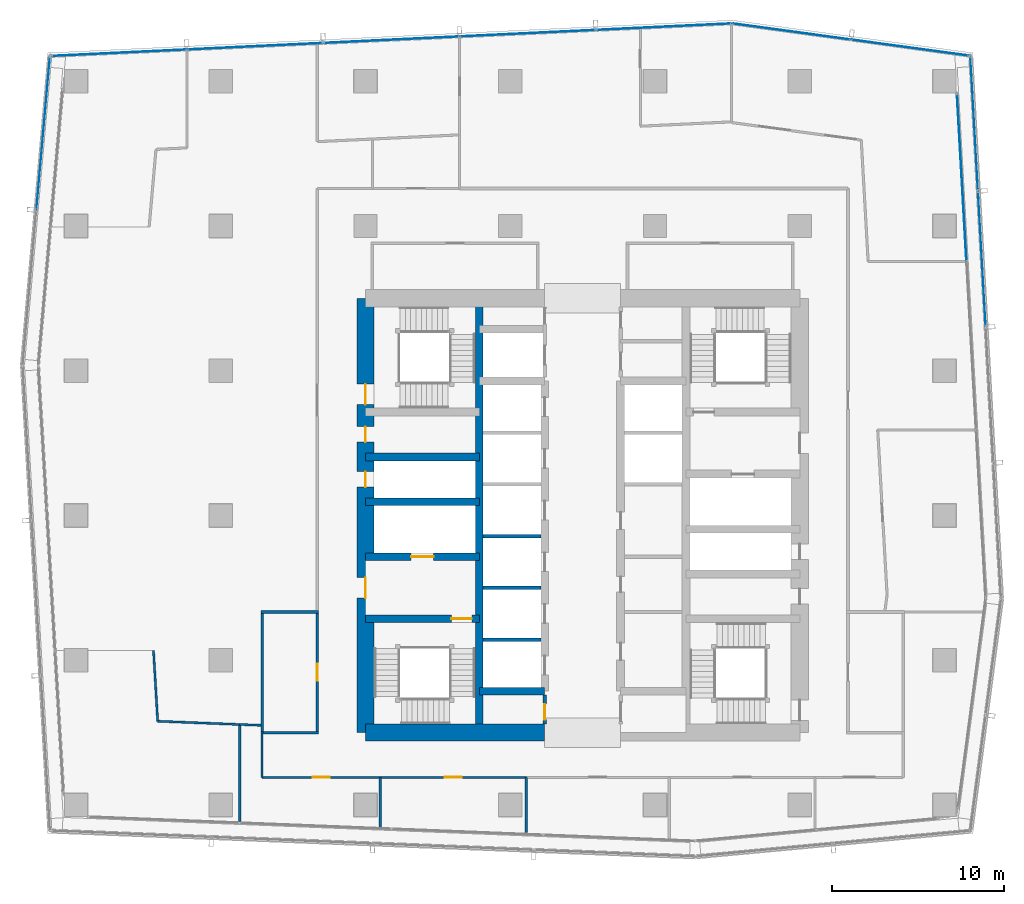
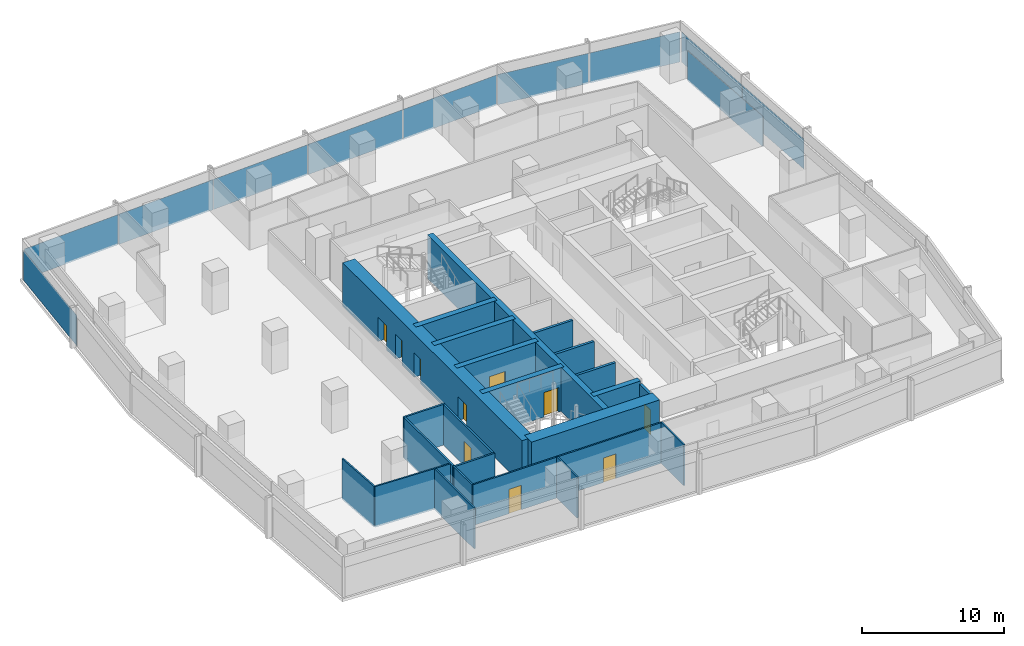
# One storey, part 27 of 40: 25 walls, 11 plates, 10 doors, 10 openings, 5 elements without a shape of their own.
"""IFC4 building model written with IfcOpenShell, lengths in metres."""

from ifc_helpers import new_model, si_unit, direction, frame, frame_2d, origin, origin_2d, place, context, subcontext, project, spatial, rectangle, extrude, material, layer, layer_set, type_object, element, fill, aggregate, save


model = new_model("IFC4")

# Units and contexts
model_context = context("Model", 3, precision=1e-05, world=origin(), true_north=direction((0.0, 1.0)))
body_context = subcontext(model_context, "Body", "Model", "MODEL_VIEW")
ifc_project = project(units=[si_unit("LENGTHUNIT", "METRE"), si_unit("AREAUNIT", "SQUARE_METRE"), si_unit("VOLUMEUNIT", "CUBIC_METRE"), si_unit("PLANEANGLEUNIT", "RADIAN"), si_unit("MASSUNIT", "GRAM", prefix="KILO")], contexts=[model_context])

# Site, building, storey
site_placement = place(None, origin())
site = spatial("IfcSite", under=ifc_project, at=site_placement, CompositionType="ELEMENT")
building_placement = place(site_placement, origin())
building = spatial("IfcBuilding", under=site, at=building_placement, Name="Rekha Terrace Tower", CompositionType="ELEMENT")
storey_placement = place(building_placement, frame((0.0, 0.0, 213.949951171875)))
storey = spatial("IfcBuildingStorey", under=building, at=storey_placement, Name="L54", CompositionType="ELEMENT", Elevation=213.949951171875)

# Curtain wall, plate
ifc_material_1 = material(Name="Aluminium framing", Category="aluminium")
curtain_wall_type_1 = type_object("IfcCurtainWallType", Name="CW1 double skin inner glazing", PredefinedType="USERDEFINED", material=ifc_material_1)
curtain_wall_1_placement = place(storey_placement, origin())
curtain_wall_1 = element("IfcCurtainWall", 1, at=curtain_wall_1_placement, inside=storey, type_object=curtain_wall_type_1, Name="CW1 double skin inner glazing", ObjectType="DOUBLE SKIN INNER GLAZING", PredefinedType="USERDEFINED")
ifc_material_2 = material(Name="Double-glazed low-e unit 32", Category="glass")
ifc_layer_1 = layer(ifc_material_2, 0.031982421875)
ifc_layer_set_1 = layer_set([ifc_layer_1], Name="Double-glazed low-e unit 32")
plate_type_1 = type_object("IfcPlateType", Name="CW1 jumbo vision panel, double-glazed low-e unit 32", PredefinedType="CURTAIN_PANEL", material=ifc_layer_set_1)
plate_1_placement = place(storey_placement, frame((59.799560546875, 53.203369140625, 0.0), z_axis=(0.0, 0.0, 1.0), x_axis=(-0.05667319486, 0.998392782919, 0.0)))
plate_1 = element("IfcPlate", 2, at=plate_1_placement, type_object=plate_type_1, Name="CW1 panel 3.1", PredefinedType="CURTAIN_PANEL", context=body_context, shape_type="SweptSolid", body=[
    extrude(rectangle(XDim=9.694091796875, YDim=0.031982421875, at=origin_2d()), origin(), (0.0, 0.0, 1.0), 2.60009765625),
])
aggregate(curtain_wall_1, [plate_1])

# Curtain wall, plates
curtain_wall_type_2 = type_object("IfcCurtainWallType", Name="CW2 double skin outer glazing", PredefinedType="USERDEFINED", material=ifc_material_1)
curtain_wall_2_placement = place(storey_placement, origin())
curtain_wall_2 = element("IfcCurtainWall", 3, at=curtain_wall_2_placement, inside=storey, type_object=curtain_wall_type_2, Name="CW2 double skin outer glazing", ObjectType="DOUBLE SKIN OUTER GLAZING", PredefinedType="USERDEFINED")
ifc_material_3 = material(Name="Toughened single glazing 12", Category="glass")
ifc_layer_2 = layer(ifc_material_3, 0.011962890625)
ifc_layer_set_2 = layer_set([ifc_layer_2], Name="Toughened single glazing 12")
plate_type_2 = type_object("IfcPlateType", Name="CW2 jumbo vision panel, toughened single glazing 12", PredefinedType="CURTAIN_PANEL", material=ifc_layer_set_2)
plate_2_placement = place(storey_placement, frame((60.9697265625, 48.47314453125, 0.0), z_axis=(0.0, 0.0, 1.0), x_axis=(-0.05667319486, 0.998392782919, 0.0)))
plate_2 = element("IfcPlate", 4, at=plate_2_placement, type_object=plate_type_2, Name="CW2 panel 3.1", PredefinedType="CURTAIN_PANEL", context=body_context, shape_type="SweptSolid", body=[
    extrude(rectangle(XDim=7.823486328125, YDim=0.011962890625, at=origin_2d()), origin(), (0.0, 0.0, 1.0), 2.60009765625),
])
plate_3_placement = place(storey_placement, frame((60.522705078125, 56.343994140625, 0.0), z_axis=(0.0, 0.0, 1.0), x_axis=(-0.05667319486, 0.998392782919, 0.0)))
plate_3 = element("IfcPlate", 5, at=plate_3_placement, type_object=plate_type_2, Name="CW2 panel 4.1", PredefinedType="CURTAIN_PANEL", context=body_context, shape_type="SweptSolid", body=[
    extrude(rectangle(XDim=7.783447265625, YDim=0.011962890625, at=origin_2d()), origin(), (0.0, 0.0, 1.0), 2.60009765625),
])
aggregate(curtain_wall_2, [plate_2, plate_3])

# Curtain wall, plate
curtain_wall_3_placement = place(storey_placement, origin())
curtain_wall_3 = element("IfcCurtainWall", 6, at=curtain_wall_3_placement, inside=storey, type_object=curtain_wall_type_2, Name="CW2 double skin outer glazing", ObjectType="DOUBLE SKIN OUTER GLAZING", PredefinedType="USERDEFINED")
plate_4_placement = place(storey_placement, frame((6.498779296875, 55.78466796875, 0.0), z_axis=(0.0, 0.0, 1.0), x_axis=(-0.087957985453, -0.996124185428, 0.0)))
plate_4 = element("IfcPlate", 7, at=plate_4_placement, type_object=plate_type_2, Name="CW2 panel 1.1", PredefinedType="CURTAIN_PANEL", context=body_context, shape_type="SweptSolid", body=[
    extrude(rectangle(XDim=8.899658203125, YDim=0.011962890625, at=origin_2d()), origin(), (0.0, 0.0, 1.0), 2.60009765625),
])
aggregate(curtain_wall_3, [plate_4])

# Curtain wall, plates
curtain_wall_type_3 = type_object("IfcCurtainWallType", Name="CW3 north unitised glazing", PredefinedType="USERDEFINED", material=ifc_material_1)
curtain_wall_4_placement = place(storey_placement, origin())
curtain_wall_4 = element("IfcCurtainWall", 8, at=curtain_wall_4_placement, inside=storey, type_object=curtain_wall_type_3, Name="CW3 unitised curtain wall", ObjectType="UNITISED CURTAIN WALL", PredefinedType="USERDEFINED")
ifc_material_4 = material(Name="Double-glazed unit 28", Category="glass")
ifc_layer_3 = layer(ifc_material_4, 0.028076171875)
ifc_layer_set_3 = layer_set([ifc_layer_3], Name="Double-glazed unit 28")
plate_type_3 = type_object("IfcPlateType", Name="CW3 jumbo vision panel, double-glazed unit 28", PredefinedType="CURTAIN_PANEL", material=ifc_layer_set_3)
plate_5_placement = place(storey_placement, frame((56.797119140625, 60.745361328125, 0.0), z_axis=(0.0, 0.0, 1.0), x_axis=(-0.990867270504, 0.134840840416, 0.0)))
plate_5 = element("IfcPlate", 9, at=plate_5_placement, type_object=plate_type_3, Name="CW3 panel 1.1", PredefinedType="CURTAIN_PANEL", context=body_context, shape_type="SweptSolid", body=[
    extrude(rectangle(XDim=6.8486328125, YDim=0.028076171875, at=origin_2d()), origin(), (0.0, 0.0, 1.0), 2.60009765625),
])
plate_6_placement = place(storey_placement, frame((49.906982421875, 61.682861328125, 0.0), z_axis=(0.0, 0.0, 1.0), x_axis=(-0.990867270504, 0.134840840416, 0.0)))
plate_6 = element("IfcPlate", 10, at=plate_6_placement, type_object=plate_type_3, Name="CW3 panel 2.1", PredefinedType="CURTAIN_PANEL", context=body_context, shape_type="SweptSolid", body=[
    extrude(rectangle(XDim=6.918701171875, YDim=0.028076171875, at=origin_2d()), origin(), (0.0, 0.0, 1.0), 2.60009765625),
])
aggregate(curtain_wall_4, [plate_5, plate_6])

curtain_wall_5_placement = place(storey_placement, origin())
curtain_wall_5 = element("IfcCurtainWall", 11, at=curtain_wall_5_placement, inside=storey, type_object=curtain_wall_type_3, Name="CW3 unitised curtain wall", ObjectType="UNITISED CURTAIN WALL", PredefinedType="USERDEFINED")
plate_7_placement = place(storey_placement, frame((42.50732421875, 61.95947265625, 0.0), z_axis=(0.0, 0.0, 1.0), x_axis=(-0.998858906204, -0.047758616983, 0.0)))
plate_7 = element("IfcPlate", 12, at=plate_7_placement, type_object=plate_type_3, Name="CW3 panel 1.1", PredefinedType="CURTAIN_PANEL", context=body_context, shape_type="SweptSolid", body=[
    extrude(rectangle(XDim=7.81298828125, YDim=0.028076171875, at=origin_2d()), origin(), (0.0, 0.0, 1.0), 2.60009765625),
])
plate_8_placement = place(storey_placement, frame((34.61572265625, 61.58203125, 0.0), z_axis=(0.0, 0.0, 1.0), x_axis=(-0.998858906204, -0.047758616983, 0.0)))
plate_8 = element("IfcPlate", 13, at=plate_8_placement, type_object=plate_type_3, Name="CW3 panel 2.1", PredefinedType="CURTAIN_PANEL", context=body_context, shape_type="SweptSolid", body=[
    extrude(rectangle(XDim=7.84814453125, YDim=0.028076171875, at=origin_2d()), origin(), (0.0, 0.0, 1.0), 2.60009765625),
])
plate_9_placement = place(storey_placement, frame((26.70654296875, 61.203857421875, 0.0), z_axis=(0.0, 0.0, 1.0), x_axis=(-0.998858906204, -0.047758616983, 0.0)))
plate_9 = element("IfcPlate", 14, at=plate_9_placement, type_object=plate_type_3, Name="CW3 panel 3.1", PredefinedType="CURTAIN_PANEL", context=body_context, shape_type="SweptSolid", body=[
    extrude(rectangle(XDim=7.84814453125, YDim=0.028076171875, at=origin_2d()), origin(), (0.0, 0.0, 1.0), 2.60009765625),
])
plate_10_placement = place(storey_placement, frame((18.79736328125, 60.82568359375, 0.0), z_axis=(0.0, 0.0, 1.0), x_axis=(-0.998858906204, -0.047758616983, 0.0)))
plate_10 = element("IfcPlate", 15, at=plate_10_placement, type_object=plate_type_3, Name="CW3 panel 4.1", PredefinedType="CURTAIN_PANEL", context=body_context, shape_type="SweptSolid", body=[
    extrude(rectangle(XDim=7.84814453125, YDim=0.028076171875, at=origin_2d()), origin(), (0.0, 0.0, 1.0), 2.60009765625),
])
plate_11_placement = place(storey_placement, frame((10.906005859375, 60.448486328125, 0.0), z_axis=(0.0, 0.0, 1.0), x_axis=(-0.998858906204, -0.047758616983, 0.0)))
plate_11 = element("IfcPlate", 16, at=plate_11_placement, type_object=plate_type_3, Name="CW3 panel 5.1", PredefinedType="CURTAIN_PANEL", context=body_context, shape_type="SweptSolid", body=[
    extrude(rectangle(XDim=7.81298828125, YDim=0.028076171875, at=origin_2d()), origin(), (0.0, 0.0, 1.0), 2.60009765625),
])
aggregate(curtain_wall_5, [plate_7, plate_8, plate_9, plate_10, plate_11])

# Walls
ifc_material_5 = material(Name="Concrete M60", Category="concrete")
ifc_layer_4 = layer(ifc_material_5, 0.449951171875)
ifc_layer_set_4 = layer_set([ifc_layer_4], Name="Concrete M60")
wall_type_1 = type_object("IfcWallType", Name="CI3 450 core internal shear wall", PredefinedType="SHEAR", material=ifc_layer_set_4)
wall_1_placement = place(storey_placement, frame((31.800048828125, 21.0, 0.0), z_axis=(0.0, 0.0, 1.0), x_axis=(0.0, 1.0, 0.0)))
element("IfcWall", 17, at=wall_1_placement, inside=storey, type_object=wall_type_1, Name="Core wall X318 L54", PredefinedType="SHEAR", context=body_context, shape_type="SweptSolid", body=[
    extrude(rectangle(XDim=25.199951171875, YDim=0.449951171875, at=frame_2d((12.60009765625, 0.0))), origin(), (0.0, 0.0, 1.0), 3.75),
])
wall_2_placement = place(storey_placement, frame((31.800048828125, 23.39990234375, 0.0), z_axis=(0.0, 0.0, 1.0), x_axis=(1.0, 0.0, 0.0)))
element("IfcWall", 18, at=wall_2_placement, inside=storey, type_object=wall_type_1, Name="Core wall Y234W L54", PredefinedType="SHEAR", context=body_context, shape_type="SweptSolid", body=[
    extrude(rectangle(XDim=3.800048828125, YDim=0.449951171875, at=frame_2d((1.89990234375, 0.0))), origin(), (0.0, 0.0, 1.0), 3.75),
])

# Wall, opening, door
wall_3_placement = place(storey_placement, frame((25.199951171875, 27.60009765625, 0.0), z_axis=(0.0, 0.0, 1.0), x_axis=(1.0, 0.0, 0.0)))
wall_3 = element("IfcWall", 19, at=wall_3_placement, inside=storey, type_object=wall_type_1, Name="Core wall Y276W L54", PredefinedType="SHEAR", context=body_context, shape_type="SweptSolid", body=[
    extrude(rectangle(XDim=6.60009765625, YDim=0.449951171875, at=frame_2d((3.300048828125, 0.0))), origin(), (0.0, 0.0, 1.0), 3.75),
])
opening_1_placement = place(wall_3_placement, frame((4.97509765625, 0.0, 0.0)))
opening_1 = element("IfcOpeningElement", 20, at=opening_1_placement, cuts=wall_3, Name="Opening D1", PredefinedType="OPENING", context=body_context, shape_type="SweptSolid", body=[
    extrude(rectangle(XDim=1.199951171875, YDim=2.10009765625, at=frame_2d((0.60009765625, 1.050048828125))), frame((0.0, 0.23486328125, 0.0), z_axis=(0.0, -1.0, 0.0), x_axis=(1.0, 0.0, 0.0)), (0.0, 0.0, 1.0), 0.469970703125),
])
ifc_material_6 = material(Name="Steel fire door", Category="steel")
door_type_1 = type_object("IfcDoorType", Name="D1 1200x2100 stair fire door", OperationType="SINGLE_SWING_RIGHT", PredefinedType="DOOR", material=ifc_material_6)
door_1_placement = place(opening_1_placement, origin())
door_1 = element("IfcDoor", 21, at=door_1_placement, inside=storey, type_object=door_type_1, Name="Stair ST1 door L54", OperationType="SINGLE_SWING_RIGHT", OverallHeight=2.10009765625, OverallWidth=1.199951171875, PredefinedType="DOOR", context=body_context, shape_type="SweptSolid", body=[
    extrude(rectangle(XDim=1.199951171875, YDim=2.10009765625, at=frame_2d((0.60009765625, 1.050048828125))), frame((0.0, 0.02490234375, 0.0), z_axis=(0.0, -1.0, 0.0), x_axis=(1.0, 0.0, 0.0)), (0.0, 0.0, 1.0), 0.050048828125),
])
fill(opening_1, door_1)

wall_4_placement = place(storey_placement, frame((25.199951171875, 31.199951171875, 0.0), z_axis=(0.0, 0.0, 1.0), x_axis=(1.0, 0.0, 0.0)))
wall_4 = element("IfcWall", 22, at=wall_4_placement, inside=storey, type_object=wall_type_1, Name="Core wall Y312W L54", PredefinedType="SHEAR", context=body_context, shape_type="SweptSolid", body=[
    extrude(rectangle(XDim=6.60009765625, YDim=0.449951171875, at=frame_2d((3.300048828125, 0.0))), origin(), (0.0, 0.0, 1.0), 3.75),
])
opening_2_placement = place(wall_4_placement, frame((2.64990234375, 0.0, 0.0)))
opening_2 = element("IfcOpeningElement", 23, at=opening_2_placement, cuts=wall_4, Name="Opening LD2", PredefinedType="OPENING", context=body_context, shape_type="SweptSolid", body=[
    extrude(rectangle(XDim=1.300048828125, YDim=2.10009765625, at=frame_2d((0.64990234375, 1.050048828125))), frame((0.0, 0.23486328125, 0.0), z_axis=(0.0, -1.0, 0.0), x_axis=(1.0, 0.0, 0.0)), (0.0, 0.0, 1.0), 0.469970703125),
])
ifc_material_7 = material(Name="Stainless steel sliding landing door", Category="steel")
door_type_2 = type_object("IfcDoorType", Name="LD2 1300x2100 fire lift landing door", OperationType="SLIDING_TO_LEFT", PredefinedType="USERDEFINED", material=ifc_material_7)
door_2_placement = place(opening_2_placement, origin())
door_2 = element("IfcDoor", 24, at=door_2_placement, inside=storey, type_object=door_type_2, Name="Lift FL1 landing door L54", ObjectType="LIFT LANDING DOOR", OperationType="SLIDING_TO_LEFT", OverallHeight=2.10009765625, OverallWidth=1.300048828125, PredefinedType="USERDEFINED", context=body_context, shape_type="SweptSolid", body=[
    extrude(rectangle(XDim=1.300048828125, YDim=2.10009765625, at=frame_2d((0.64990234375, 1.050048828125))), frame((0.0, 0.02490234375, 0.0), z_axis=(0.0, -1.0, 0.0), x_axis=(1.0, 0.0, 0.0)), (0.0, 0.0, 1.0), 0.050048828125),
])
fill(opening_2, door_2)

# Walls
for number, where, z_axis, x_axis, name in (
    (25, (25.199951171875, 34.39990234375, 0.0), (0.0, 0.0, 1.0), (1.0, 0.0, 0.0), "Core wall Y344W L54"),
    (26, (25.199951171875, 37.0, 0.0), (0.0, 0.0, 1.0), (1.0, 0.0, 0.0), "Core wall Y370W L54"),
):
    element("IfcWall", number, at=place(storey_placement, frame(where, z_axis=z_axis, x_axis=x_axis)), inside=storey, type_object=wall_type_1, Name=name, PredefinedType="SHEAR", context=body_context, shape_type="SweptSolid", body=[
        extrude(rectangle(XDim=6.60009765625, YDim=0.449951171875, at=frame_2d((3.300048828125, 0.0))), origin(), (0.0, 0.0, 1.0), 3.75),
    ])
ifc_layer_5 = layer(ifc_material_5, 1.0)
ifc_layer_set_5 = layer_set([ifc_layer_5], Name="Concrete M60")
wall_type_2 = type_object("IfcWallType", Name="SW3 1000 core outer shear wall", PredefinedType="SHEAR", material=ifc_layer_set_5)
wall_5_placement = place(storey_placement, frame((25.199951171875, 21.0, 0.0), z_axis=(0.0, 0.0, 1.0), x_axis=(1.0, 0.0, 0.0)))
element("IfcWall", 27, at=wall_5_placement, inside=storey, type_object=wall_type_2, Name="Core wall S1 L54", PredefinedType="SHEAR", context=body_context, shape_type="SweptSolid", body=[
    extrude(rectangle(XDim=10.400146484375, YDim=1.0, at=frame_2d((5.2001953125, 0.0))), origin(), (0.0, 0.0, 1.0), 3.75),
])

# Wall, openings, doors
wall_6_placement = place(storey_placement, frame((25.199951171875, 21.0, 0.0), z_axis=(0.0, 0.0, 1.0), x_axis=(0.0, 1.0, 0.0)))
wall_6 = element("IfcWall", 28, at=wall_6_placement, inside=storey, type_object=wall_type_2, Name="Core wall W L54", PredefinedType="SHEAR", context=body_context, shape_type="SweptSolid", body=[
    extrude(rectangle(XDim=25.199951171875, YDim=1.0, at=frame_2d((12.60009765625, 0.0))), origin(), (0.0, 0.0, 1.0), 3.75),
])
opening_3_placement = place(wall_6_placement, frame((7.800048828125, 0.0, 0.0)))
opening_3 = element("IfcOpeningElement", 29, at=opening_3_placement, cuts=wall_6, Name="Opening D2", PredefinedType="OPENING", context=body_context, shape_type="SweptSolid", body=[
    extrude(rectangle(XDim=1.199951171875, YDim=2.10009765625, at=frame_2d((0.60009765625, 1.050048828125))), frame((0.0, 0.510009765625, 0.0), z_axis=(0.0, -1.0, 0.0), x_axis=(1.0, 0.0, 0.0)), (0.0, 0.0, 1.0), 1.02001953125),
])
opening_4_placement = place(wall_6_placement, frame((14.25, 0.0, 0.0)))
opening_4 = element("IfcOpeningElement", 30, at=opening_4_placement, cuts=wall_6, Name="Opening D5", PredefinedType="OPENING", context=body_context, shape_type="SweptSolid", body=[
    extrude(rectangle(XDim=0.89990234375, YDim=2.10009765625, at=frame_2d((0.449951171875, 1.050048828125))), frame((0.0, 0.510009765625, 0.0), z_axis=(0.0, -1.0, 0.0), x_axis=(1.0, 0.0, 0.0)), (0.0, 0.0, 1.0), 1.02001953125),
])
opening_5_placement = place(wall_6_placement, frame((16.85009765625, 0.0, 0.0)))
opening_5 = element("IfcOpeningElement", 31, at=opening_5_placement, cuts=wall_6, Name="Opening D5", PredefinedType="OPENING", context=body_context, shape_type="SweptSolid", body=[
    extrude(rectangle(XDim=0.89990234375, YDim=2.10009765625, at=frame_2d((0.449951171875, 1.050048828125))), frame((0.0, 0.510009765625, 0.0), z_axis=(0.0, -1.0, 0.0), x_axis=(1.0, 0.0, 0.0)), (0.0, 0.0, 1.0), 1.02001953125),
])
opening_6_placement = place(wall_6_placement, frame((19.02490234375, 0.0, 0.0)))
opening_6 = element("IfcOpeningElement", 32, at=opening_6_placement, cuts=wall_6, Name="Opening D1", PredefinedType="OPENING", context=body_context, shape_type="SweptSolid", body=[
    extrude(rectangle(XDim=1.199951171875, YDim=2.10009765625, at=frame_2d((0.60009765625, 1.050048828125))), frame((0.0, 0.510009765625, 0.0), z_axis=(0.0, -1.0, 0.0), x_axis=(1.0, 0.0, 0.0)), (0.0, 0.0, 1.0), 1.02001953125),
])
door_3_placement = place(opening_6_placement, origin())
door_3 = element("IfcDoor", 33, at=door_3_placement, inside=storey, type_object=door_type_1, Name="Stair ST4 door L54", OperationType="SINGLE_SWING_RIGHT", OverallHeight=2.10009765625, OverallWidth=1.199951171875, PredefinedType="DOOR", context=body_context, shape_type="SweptSolid", body=[
    extrude(rectangle(XDim=1.199951171875, YDim=2.10009765625, at=frame_2d((0.60009765625, 1.050048828125))), frame((0.0, 0.02490234375, 0.0), z_axis=(0.0, -1.0, 0.0), x_axis=(1.0, 0.0, 0.0)), (0.0, 0.0, 1.0), 0.050048828125),
])
fill(opening_6, door_3)
door_type_3 = type_object("IfcDoorType", Name="D2 1200x2100 firefighting lobby door", OperationType="SINGLE_SWING_LEFT", PredefinedType="DOOR", material=ifc_material_6)
door_4_placement = place(opening_3_placement, origin())
door_4 = element("IfcDoor", 34, at=door_4_placement, inside=storey, type_object=door_type_3, Name="Door flb1 L54", OperationType="SINGLE_SWING_LEFT", OverallHeight=2.10009765625, OverallWidth=1.199951171875, PredefinedType="DOOR", context=body_context, shape_type="SweptSolid", body=[
    extrude(rectangle(XDim=1.199951171875, YDim=2.10009765625, at=frame_2d((0.60009765625, 1.050048828125))), frame((0.0, 0.02490234375, 0.0), z_axis=(0.0, -1.0, 0.0), x_axis=(1.0, 0.0, 0.0)), (0.0, 0.0, 1.0), 0.050048828125),
])
fill(opening_3, door_4)
door_type_4 = type_object("IfcDoorType", Name="D5 900x2100 riser access door", OperationType="SINGLE_SWING_LEFT", PredefinedType="DOOR", material=ifc_material_6)
door_5_placement = place(opening_4_placement, origin())
door_5 = element("IfcDoor", 35, at=door_5_placement, inside=storey, type_object=door_type_4, Name="Door rs1 L54", OperationType="SINGLE_SWING_LEFT", OverallHeight=2.10009765625, OverallWidth=0.89990234375, PredefinedType="DOOR", context=body_context, shape_type="SweptSolid", body=[
    extrude(rectangle(XDim=0.89990234375, YDim=2.10009765625, at=frame_2d((0.449951171875, 1.050048828125))), frame((0.0, 0.02490234375, 0.0), z_axis=(0.0, -1.0, 0.0), x_axis=(1.0, 0.0, 0.0)), (0.0, 0.0, 1.0), 0.050048828125),
])
fill(opening_4, door_5)
door_6_placement = place(opening_5_placement, origin())
door_6 = element("IfcDoor", 36, at=door_6_placement, inside=storey, type_object=door_type_4, Name="Door elw L54", OperationType="SINGLE_SWING_LEFT", OverallHeight=2.10009765625, OverallWidth=0.89990234375, PredefinedType="DOOR", context=body_context, shape_type="SweptSolid", body=[
    extrude(rectangle(XDim=0.89990234375, YDim=2.10009765625, at=frame_2d((0.449951171875, 1.050048828125))), frame((0.0, 0.02490234375, 0.0), z_axis=(0.0, -1.0, 0.0), x_axis=(1.0, 0.0, 0.0)), (0.0, 0.0, 1.0), 0.050048828125),
])
fill(opening_5, door_6)

# Walls
ifc_material_8 = material(Name="Concrete block masonry, 1 hour", Category="masonry")
ifc_layer_6 = layer(ifc_material_8, 0.14990234375)
ifc_layer_set_6 = layer_set([ifc_layer_6], Name="Concrete block masonry, 1 hour")
wall_type_3 = type_object("IfcWallType", Name="WP2 150 tenancy partition", PredefinedType="PARTITIONING", material=ifc_layer_set_6)
for number, where, z_axis, x_axis, name in (
    (37, (19.125, 21.0, 0.0), (0.0, 0.0, 1.0), (1.0, 0.0, 0.0), "Men's WC wall L54"),
    (38, (19.125, 28.0, 0.0), (0.0, 0.0, 1.0), (1.0, 0.0, 0.0), "Men's WC wall L54"),
):
    element("IfcWall", number, at=place(storey_placement, frame(where, z_axis=z_axis, x_axis=x_axis)), inside=storey, type_object=wall_type_3, Name=name, PredefinedType="PARTITIONING", context=body_context, shape_type="SweptSolid", body=[
        extrude(rectangle(XDim=3.35009765625, YDim=0.14990234375, at=frame_2d((1.675048828125, 0.0))), origin(), (0.0, 0.0, 1.0), 3.5),
    ])
wall_7_placement = place(storey_placement, frame((19.199951171875, 21.074951171875, 0.0), z_axis=(0.0, 0.0, 1.0), x_axis=(0.0, 1.0, 0.0)))
element("IfcWall", 39, at=wall_7_placement, inside=storey, type_object=wall_type_3, Name="Men's WC wall L54", PredefinedType="PARTITIONING", context=body_context, shape_type="SweptSolid", body=[
    extrude(rectangle(XDim=6.85009765625, YDim=0.14990234375, at=frame_2d((3.425048828125, 0.0))), origin(), (0.0, 0.0, 1.0), 3.5),
])

# Wall, opening, door
wall_8_placement = place(storey_placement, frame((22.39990234375, 21.074951171875, 0.0), z_axis=(0.0, 0.0, 1.0), x_axis=(0.0, 1.0, 0.0)))
wall_8 = element("IfcWall", 40, at=wall_8_placement, inside=storey, type_object=wall_type_3, Name="Men's WC wall L54", PredefinedType="PARTITIONING", context=body_context, shape_type="SweptSolid", body=[
    extrude(rectangle(XDim=6.85009765625, YDim=0.14990234375, at=frame_2d((3.425048828125, 0.0))), origin(), (0.0, 0.0, 1.0), 3.5),
])
opening_7_placement = place(wall_8_placement, frame((2.925048828125, 0.0, 0.0)))
opening_7 = element("IfcOpeningElement", 41, at=opening_7_placement, cuts=wall_8, Name="Opening D3", PredefinedType="OPENING", context=body_context, shape_type="SweptSolid", body=[
    extrude(rectangle(XDim=1.0, YDim=2.10009765625, at=frame_2d((0.5, 1.050048828125))), frame((0.0, 0.0849609375, 0.0), z_axis=(0.0, -1.0, 0.0), x_axis=(1.0, 0.0, 0.0)), (0.0, 0.0, 1.0), 0.169921875),
])
ifc_material_9 = material(Name="Laminated timber fire door", Category="wood")
door_type_5 = type_object("IfcDoorType", Name="D3 1000x2100 WC door", OperationType="SINGLE_SWING_LEFT", PredefinedType="DOOR", material=ifc_material_9)
door_7_placement = place(opening_7_placement, origin())
door_7 = element("IfcDoor", 42, at=door_7_placement, inside=storey, type_object=door_type_5, Name="Door men's wc L54", OperationType="SINGLE_SWING_LEFT", OverallHeight=2.10009765625, OverallWidth=1.0, PredefinedType="DOOR", context=body_context, shape_type="SweptSolid", body=[
    extrude(rectangle(XDim=1.0, YDim=2.10009765625, at=frame_2d((0.5, 1.050048828125))), frame((0.0, 0.02490234375, 0.0), z_axis=(0.0, -1.0, 0.0), x_axis=(1.0, 0.0, 0.0)), (0.0, 0.0, 1.0), 0.050048828125),
])
fill(opening_7, door_7)

# Walls
ifc_material_10 = material(Name="Two layers of fire-rated gypsum board each side on steel studs, acoustic quilt, 1 hour", Category="steel")
ifc_layer_7 = layer(ifc_material_10, 0.125)
ifc_layer_set_7 = layer_set([ifc_layer_7], Name="Two layers of fire-rated gypsum board each side on steel studs, acoustic quilt, 1 hour")
wall_type_4 = type_object("IfcWallType", Name="WP3 125 office partition", PredefinedType="PARTITIONING", material=ifc_layer_set_7)
wall_9_placement = place(storey_placement, frame((34.531005859375, 15.181884765625, 0.0), z_axis=(0.0, 0.0, 1.0), x_axis=(0.0, 1.0, 0.0)))
element("IfcWall", 43, at=wall_9_placement, inside=storey, type_object=wall_type_4, Name="Partition L54-02", PredefinedType="PARTITIONING", context=body_context, shape_type="SweptSolid", body=[
    extrude(rectangle(XDim=3.218017578125, YDim=0.125, at=frame_2d((1.60888671875, 0.0))), origin(), (0.0, 0.0, 1.0), 3.5),
])
wall_10_placement = place(storey_placement, frame((17.89892578125, 21.470947265625, 0.0), z_axis=(0.0, 0.0, 1.0), x_axis=(0.0, -1.0, 0.0)))
element("IfcWall", 44, at=wall_10_placement, inside=storey, type_object=wall_type_4, Name="Partition L54-12", PredefinedType="PARTITIONING", context=body_context, shape_type="SweptSolid", body=[
    extrude(rectangle(XDim=5.625, YDim=0.125, at=frame_2d((2.8125, 0.0))), origin(), (0.0, 0.0, 1.0), 3.5),
])
wall_11_placement = place(storey_placement, frame((12.89697265625, 25.76611328125, 0.0), z_axis=(0.0, 0.0, 1.0), x_axis=(0.058833387196, -0.998267816045, 0.0)))
element("IfcWall", 45, at=wall_11_placement, inside=storey, type_object=wall_type_4, Name="Partition L54-12", PredefinedType="PARTITIONING", context=body_context, shape_type="SweptSolid", body=[
    extrude(rectangle(XDim=4.1123046875, YDim=0.125, at=frame_2d((2.05615234375, 0.0))), origin(), (0.0, 0.0, 1.0), 3.5),
])
wall_12_placement = place(storey_placement, frame((13.138916015625, 21.660888671875, 0.0), z_axis=(0.0, 0.0, 1.0), x_axis=(0.999204801872, -0.039871843661, 0.0)))
element("IfcWall", 46, at=wall_12_placement, inside=storey, type_object=wall_type_4, Name="Partition L54-12", PredefinedType="PARTITIONING", context=body_context, shape_type="SweptSolid", body=[
    extrude(rectangle(XDim=4.763916015625, YDim=0.125, at=frame_2d((2.3818359375, 0.0))), origin(), (0.0, 0.0, 1.0), 3.5),
])

# Wall, opening, door
wall_13_placement = place(storey_placement, frame((19.199951171875, 18.39990234375, 0.0), z_axis=(0.0, 0.0, 1.0), x_axis=(1.0, 0.0, 0.0)))
wall_13 = element("IfcWall", 47, at=wall_13_placement, inside=storey, type_object=wall_type_4, Name="Partition L54-13", PredefinedType="PARTITIONING", context=body_context, shape_type="SweptSolid", body=[
    extrude(rectangle(XDim=6.85693359375, YDim=0.125, at=frame_2d((3.428466796875, 0.0))), origin(), (0.0, 0.0, 1.0), 3.5),
])
opening_8_placement = place(wall_13_placement, frame((2.927978515625, 0.0, 0.0)))
opening_8 = element("IfcOpeningElement", 48, at=opening_8_placement, cuts=wall_13, Name="Opening D9", PredefinedType="OPENING", context=body_context, shape_type="SweptSolid", body=[
    extrude(rectangle(XDim=1.0, YDim=2.10009765625, at=frame_2d((0.5, 1.050048828125))), frame((0.0, 0.072509765625, 0.0), z_axis=(0.0, -1.0, 0.0), x_axis=(1.0, 0.0, 0.0)), (0.0, 0.0, 1.0), 0.14501953125),
])
ifc_material_11 = material(Name="Timber fire door", Category="wood")
door_type_6 = type_object("IfcDoorType", Name="D9 1000x2100 office door", OperationType="SINGLE_SWING_LEFT", PredefinedType="DOOR", material=ifc_material_11)
door_8_placement = place(opening_8_placement, origin())
door_8 = element("IfcDoor", 49, at=door_8_placement, inside=storey, type_object=door_type_6, Name="Door pantry L54", OperationType="SINGLE_SWING_LEFT", OverallHeight=2.10009765625, OverallWidth=1.0, PredefinedType="DOOR", context=body_context, shape_type="SweptSolid", body=[
    extrude(rectangle(XDim=1.0, YDim=2.10009765625, at=frame_2d((0.5, 1.050048828125))), frame((0.0, 0.02490234375, 0.0), z_axis=(0.0, -1.0, 0.0), x_axis=(1.0, 0.0, 0.0)), (0.0, 0.0, 1.0), 0.050048828125),
])
fill(opening_8, door_8)

# Walls
wall_14_placement = place(storey_placement, frame((26.056884765625, 18.39990234375, 0.0), z_axis=(0.0, 0.0, 1.0), x_axis=(0.0, -1.0, 0.0)))
element("IfcWall", 50, at=wall_14_placement, inside=storey, type_object=wall_type_4, Name="Partition L54-13", PredefinedType="PARTITIONING", context=body_context, shape_type="SweptSolid", body=[
    extrude(rectangle(XDim=2.909912109375, YDim=0.125, at=frame_2d((1.455078125, 0.0))), origin(), (0.0, 0.0, 1.0), 3.5),
])
wall_15_placement = place(storey_placement, frame((17.89990234375, 21.470947265625, 0.0), z_axis=(0.0, 0.0, 1.0), x_axis=(0.999206674093, -0.039824897333, 0.0)))
element("IfcWall", 51, at=wall_15_placement, inside=storey, type_object=wall_type_4, Name="Partition L54-13", PredefinedType="PARTITIONING", context=body_context, shape_type="SweptSolid", body=[
    extrude(rectangle(XDim=1.22607421875, YDim=0.125, at=frame_2d((0.613037109375, 0.0))), origin(), (0.0, 0.0, 1.0), 3.5),
])
wall_16_placement = place(storey_placement, frame((19.199951171875, 21.074951171875, 0.0), z_axis=(0.0, 0.0, 1.0), x_axis=(0.0, -1.0, 0.0)))
element("IfcWall", 52, at=wall_16_placement, inside=storey, type_object=wall_type_4, Name="Partition L54-13", PredefinedType="PARTITIONING", context=body_context, shape_type="SweptSolid", body=[
    extrude(rectangle(XDim=2.675048828125, YDim=0.125, at=frame_2d((1.33740234375, 0.0))), origin(), (0.0, 0.0, 1.0), 3.5),
])

# Wall, opening, door
wall_17_placement = place(storey_placement, frame((26.05810546875, 18.39990234375, 0.0), z_axis=(0.0, 0.0, 1.0), x_axis=(1.0, 0.0, 0.0)))
wall_17 = element("IfcWall", 53, at=wall_17_placement, inside=storey, type_object=wall_type_4, Name="Partition L54-14", PredefinedType="PARTITIONING", context=body_context, shape_type="SweptSolid", body=[
    extrude(rectangle(XDim=8.471923828125, YDim=0.125, at=frame_2d((4.23583984375, 0.0))), origin(), (0.0, 0.0, 1.0), 3.5),
])
opening_9_placement = place(wall_17_placement, frame((3.736083984375, 0.0, 0.0)))
opening_9 = element("IfcOpeningElement", 54, at=opening_9_placement, cuts=wall_17, Name="Opening D9", PredefinedType="OPENING", context=body_context, shape_type="SweptSolid", body=[
    extrude(rectangle(XDim=1.0, YDim=2.10009765625, at=frame_2d((0.5, 1.050048828125))), frame((0.0, 0.072509765625, 0.0), z_axis=(0.0, -1.0, 0.0), x_axis=(1.0, 0.0, 0.0)), (0.0, 0.0, 1.0), 0.14501953125),
])
door_9_placement = place(opening_9_placement, origin())
door_9 = element("IfcDoor", 55, at=door_9_placement, inside=storey, type_object=door_type_6, Name="Door meeting room L54", OperationType="SINGLE_SWING_LEFT", OverallHeight=2.10009765625, OverallWidth=1.0, PredefinedType="DOOR", context=body_context, shape_type="SweptSolid", body=[
    extrude(rectangle(XDim=1.0, YDim=2.10009765625, at=frame_2d((0.5, 1.050048828125))), frame((0.0, 0.02490234375, 0.0), z_axis=(0.0, -1.0, 0.0), x_axis=(1.0, 0.0, 0.0)), (0.0, 0.0, 1.0), 0.050048828125),
])
fill(opening_9, door_9)

# Walls
ifc_material_12 = material(Name="Solid concrete block masonry, 2 hour", Category="masonry")
ifc_layer_8 = layer(ifc_material_12, 0.199951171875)
ifc_layer_set_8 = layer_set([ifc_layer_8], Name="Solid concrete block masonry, 2 hour")
wall_type_5 = type_object("IfcWallType", Name="WS1 200 stair and shaft enclosure", PredefinedType="PARTITIONING", material=ifc_layer_set_8)
for number, where, z_axis, x_axis, name in (
    (56, (32.02490234375, 26.39990234375, 0.0), (0.0, 0.0, 1.0), (1.0, 0.0, 0.0), "Lift shaft divider L54"),
    (57, (32.02490234375, 29.39990234375, 0.0), (0.0, 0.0, 1.0), (1.0, 0.0, 0.0), "Lift shaft divider L54"),
    (58, (32.02490234375, 32.39990234375, 0.0), (0.0, 0.0, 1.0), (1.0, 0.0, 0.0), "Lift shaft divider L54"),
):
    element("IfcWall", number, at=place(storey_placement, frame(where, z_axis=z_axis, x_axis=x_axis)), inside=storey, type_object=wall_type_5, Name=name, PredefinedType="PARTITIONING", context=body_context, shape_type="SweptSolid", body=[
        extrude(rectangle(XDim=3.35009765625, YDim=0.199951171875, at=frame_2d((1.675048828125, 0.0))), origin(), (0.0, 0.0, 1.0), 3.5),
    ])

# Wall, opening, door
wall_18_placement = place(storey_placement, frame((35.60009765625, 21.5, 0.0), z_axis=(0.0, 0.0, 1.0), x_axis=(0.0, 1.0, 0.0)))
wall_18 = element("IfcWall", 59, at=wall_18_placement, inside=storey, type_object=wall_type_5, Name="Core partition west L54", PredefinedType="PARTITIONING", context=body_context, shape_type="SweptSolid", body=[
    extrude(rectangle(XDim=1.675048828125, YDim=0.199951171875, at=frame_2d((0.83740234375, 0.0))), origin(), (0.0, 0.0, 1.0), 3.5),
])
opening_10_placement = place(wall_18_placement, frame((0.25, 0.0, 0.0)))
opening_10 = element("IfcOpeningElement", 60, at=opening_10_placement, cuts=wall_18, Name="Opening D5", PredefinedType="OPENING", context=body_context, shape_type="SweptSolid", body=[
    extrude(rectangle(XDim=0.89990234375, YDim=2.10009765625, at=frame_2d((0.449951171875, 1.050048828125))), frame((0.0, 0.10986328125, 0.0), z_axis=(0.0, -1.0, 0.0), x_axis=(1.0, 0.0, 0.0)), (0.0, 0.0, 1.0), 0.219970703125),
])
door_10_placement = place(opening_10_placement, origin())
door_10 = element("IfcDoor", 61, at=door_10_placement, inside=storey, type_object=door_type_4, Name="Door cleaner's store L54", OperationType="SINGLE_SWING_LEFT", OverallHeight=2.10009765625, OverallWidth=0.89990234375, PredefinedType="DOOR", context=body_context, shape_type="SweptSolid", body=[
    extrude(rectangle(XDim=0.89990234375, YDim=2.10009765625, at=frame_2d((0.449951171875, 1.050048828125))), frame((0.0, 0.02490234375, 0.0), z_axis=(0.0, -1.0, 0.0), x_axis=(1.0, 0.0, 0.0)), (0.0, 0.0, 1.0), 0.050048828125),
])
fill(opening_10, door_10)

save(model, "model.ifc")
